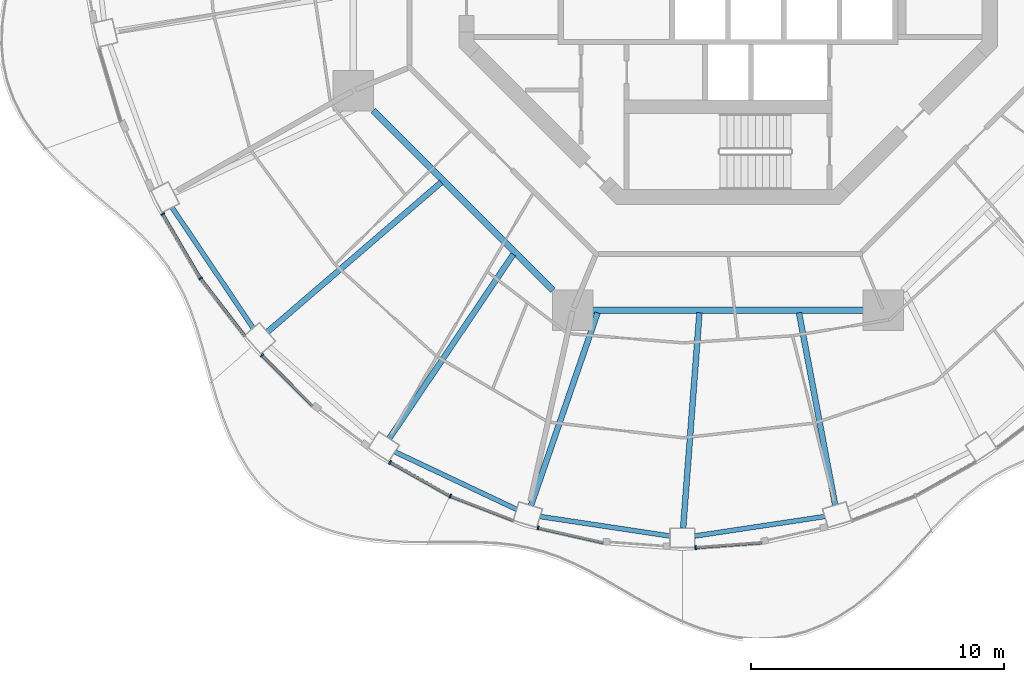
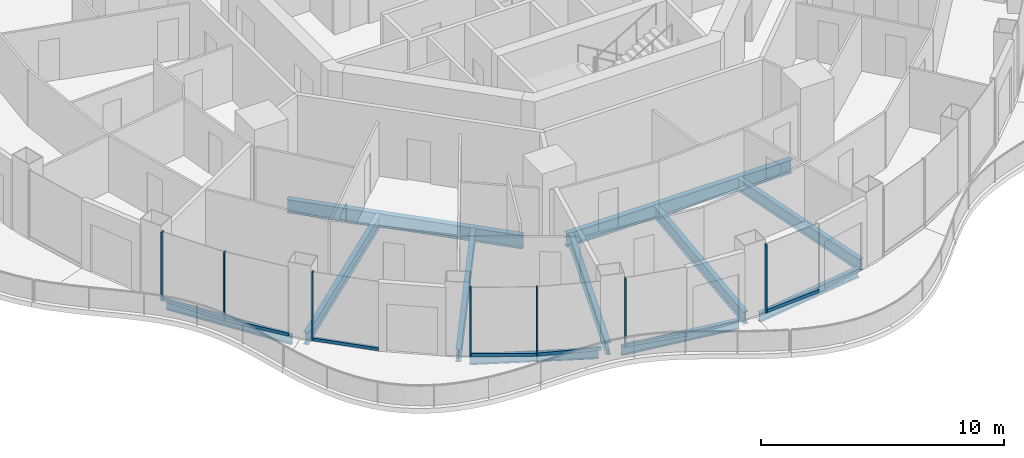
# One storey, part 2 of 18: 14 members, 11 beams, 7 elements without a shape of their own.
"""IFC4 building model written with IfcOpenShell, lengths in metres."""

import ifcopenshell
import ifcopenshell.guid

model = None  # the IFC model being written
_history = None  # IfcOwnerHistory: only IFC2X3 demands one
_inside = {}  # id of a spatial element -> (the spatial element, [elements in it])
_under = {}  # id of a project, library or spatial element -> (it, [spatial elements below it])
_declared = {}  # id of a project -> (the project, [libraries it declares])
_typed = {}  # id of a type object -> (the type object, [elements of that type])
_made_of = {}  # id of a material, layer set ... -> (it, [elements and type objects made of it])


def new_model(schema):
    """Start an empty IFC model of exactly this schema.

    Asked for "IFC4X3", IfcOpenShell would pick the latest addendum, in which some entities
    have other attributes; the version numbers below select the first issue.
    IFC2X3 requires an IfcOwnerHistory on every rooted entity: one is made here for all.
    """
    global model, _history
    if schema == "IFC4X3":
        model = ifcopenshell.file(schema_version=(4, 3, 0, 0))
    else:
        model = ifcopenshell.file(schema=schema)
    _inside.clear()
    _under.clear()
    _declared.clear()
    _typed.clear()
    _made_of.clear()
    _history = None
    if model.schema == "IFC2X3":
        org = make("IfcOrganization", Name="unknown")
        user = make(
            "IfcPersonAndOrganization",
            ThePerson=make("IfcPerson", FamilyName="unknown"),
            TheOrganization=org,
        )
        app = make(
            "IfcApplication",
            ApplicationDeveloper=org,
            Version="unknown",
            ApplicationFullName="unknown",
            ApplicationIdentifier="unknown",
        )
        _history = make(
            "IfcOwnerHistory",
            OwningUser=user,
            OwningApplication=app,
            ChangeAction="ADDED",
            CreationDate=0,
        )
    return model


def make(cls, **values):
    """One entity of the class cls with the attributes given. An attribute that is None is left unset."""
    return model.create_entity(
        cls, **{name: value for name, value in values.items() if value is not None}
    )


def rooted(cls, **values):
    """An entity with a GlobalId (a new one), such as an element, a storey or a relation."""
    return make(cls, GlobalId=ifcopenshell.guid.new(), OwnerHistory=_history, **values)


def si_unit(unit_type, name, prefix=None):
    """IfcSIUnit, for example si_unit("LENGTHUNIT", "METRE", prefix="MILLI")."""
    return make("IfcSIUnit", UnitType=unit_type, Prefix=prefix, Name=name)


def assignment(units):
    """IfcUnitAssignment: the units of a project."""
    return None if units is None else make("IfcUnitAssignment", Units=units)


def point(xyz):
    """IfcCartesianPoint."""
    return None if xyz is None else make("IfcCartesianPoint", Coordinates=xyz)


def direction(xyz):
    """IfcDirection."""
    return None if xyz is None else make("IfcDirection", DirectionRatios=xyz)


def frame(location, z_axis=None, x_axis=None):
    """IfcAxis2Placement3D, a coordinate frame: its origin and axes. An axis left out is left unset."""
    return make(
        "IfcAxis2Placement3D",
        Location=point(location),
        Axis=direction(z_axis),
        RefDirection=direction(x_axis),
    )


def frame_2d(location, x_axis=None):
    """IfcAxis2Placement2D, a coordinate frame in the plane: its origin and x axis."""
    return make(
        "IfcAxis2Placement2D", Location=point(location), RefDirection=direction(x_axis)
    )


def origin():
    """The frame at (0, 0, 0) with its axes left unset."""
    return frame((0.0, 0.0, 0.0))


def origin_2d():
    """The frame at (0, 0) in the plane with its x axis left unset."""
    return frame_2d((0.0, 0.0))


def place(relative_to, where):
    """IfcLocalPlacement: puts the frame where relative to a parent placement (None: the world)."""
    return make(
        "IfcLocalPlacement", PlacementRelTo=relative_to, RelativePlacement=where
    )


def context(
    kind, dimensions, precision=None, world=None, true_north=None, identifier=None
):
    """IfcGeometricRepresentationContext, for example the 3D "Model" context."""
    return make(
        "IfcGeometricRepresentationContext",
        ContextIdentifier=identifier,
        ContextType=kind,
        CoordinateSpaceDimension=dimensions,
        Precision=precision,
        WorldCoordinateSystem=world,
        TrueNorth=true_north,
    )


def subcontext(parent, identifier, kind, view, scale=None):
    """IfcGeometricRepresentationSubContext, for example "Body" below "Model"."""
    return make(
        "IfcGeometricRepresentationSubContext",
        ContextIdentifier=identifier,
        ContextType=kind,
        ParentContext=parent,
        TargetScale=scale,
        TargetView=view,
    )


def project(units=None, contexts=None):
    """IfcProject with its units and contexts."""
    return rooted(
        "IfcProject",
        Name="project",
        RepresentationContexts=contexts,
        UnitsInContext=assignment(units),
    )


def spatial(cls, under=None, at=None, **own):
    """A site, building, storey or space (cls), placed at a placement, below another one or the project."""
    s = rooted(cls, ObjectPlacement=at, **own)
    if under is not None:
        _under.setdefault(under.id(), (under, []))[1].append(s)
    return s


def profile(cls, at=None, kind="AREA", **sizes):
    """A parametric profile (cls). Its sizes go by their IFC names, for example OverallWidth=200.0."""
    return make(cls, ProfileType=kind, Position=at, **sizes)


def rectangle(**sizes):
    """IfcRectangleProfileDef."""
    return profile("IfcRectangleProfileDef", **sizes)


def i_section(**sizes):
    """IfcIShapeProfileDef."""
    return profile("IfcIShapeProfileDef", **sizes)


def extrude(swept, where, along, depth):
    """IfcExtrudedAreaSolid: the profile swept, set in the frame where, extruded along a direction by depth."""
    return make(
        "IfcExtrudedAreaSolid",
        SweptArea=swept,
        Position=where,
        ExtrudedDirection=direction(along),
        Depth=depth,
    )


def shape(context_of_items, identifier, shape_type, items):
    """IfcShapeRepresentation: the items that make up one representation, for example the "Body"."""
    return make(
        "IfcShapeRepresentation",
        ContextOfItems=context_of_items,
        RepresentationIdentifier=identifier,
        RepresentationType=shape_type,
        Items=items,
    )


def material(Name=None, Category=None):
    """IfcMaterial."""
    return make("IfcMaterial", Name=Name, Category=Category)


def layer(
    of_material, thickness, ventilated=None, Name=None, Category=None, Priority=None
):
    """IfcMaterialLayer: one layer of a wall or slab, of a material (None: an air gap)."""
    return make(
        "IfcMaterialLayer",
        Material=of_material,
        LayerThickness=thickness,
        IsVentilated=ventilated,
        Name=Name,
        Category=Category,
        Priority=Priority,
    )


def layer_set(layers, Name=None):
    """IfcMaterialLayerSet."""
    return make("IfcMaterialLayerSet", MaterialLayers=layers, LayerSetName=Name)


def material_profile(
    of_material, cross_section, Name=None, Category=None, Priority=None
):
    """IfcMaterialProfile: a cross section and its material."""
    return make(
        "IfcMaterialProfile",
        Name=Name,
        Material=of_material,
        Profile=cross_section,
        Priority=Priority,
        Category=Category,
    )


def profile_set(profiles, Name=None, composite=None):
    """IfcMaterialProfileSet."""
    return make(
        "IfcMaterialProfileSet",
        Name=Name,
        MaterialProfiles=profiles,
        CompositeProfile=composite,
    )


def made_of(thing, what):
    """Note that an element or type object is made of a material, layer set ...; save() writes the relation."""
    if what is not None:
        _made_of.setdefault(what.id(), (what, []))[1].append(thing)
    return thing


def type_object(cls, material=None, **own):
    """A type object (cls), such as IfcWallType, which elements share."""
    return made_of(rooted(cls, **own), material)


def element(
    cls,
    number,
    at=None,
    inside=None,
    cuts=None,
    type_object=None,
    material=None,
    context=None,
    identifier="Body",
    shape_type=None,
    held_by="IfcProductDefinitionShape",
    body=None,
    shapes=None,
    **own,
):
    """One element of the class cls, such as IfcWall. Its Tag is "e" and its number.

    at: its placement. inside: the storey or other place that contains it. cuts: it is an
    opening in that element (IfcRelVoidsElement). A single representation is given by context,
    identifier, shape_type and body (its items); several are given by shapes. held_by: the class
    of the entity that holds the representations. save() writes the other relations.
    """
    e = rooted(cls, Tag="e%d" % number, ObjectPlacement=at, **own)
    if body is not None:
        shapes = [shape(context, identifier, shape_type, body)]
    if shapes is not None:
        e.Representation = make(held_by, Representations=shapes)
    if inside is not None:
        _inside.setdefault(inside.id(), (inside, []))[1].append(e)
    if cuts is not None:
        rooted(
            "IfcRelVoidsElement", RelatingBuildingElement=cuts, RelatedOpeningElement=e
        )
    if type_object is not None:
        _typed.setdefault(type_object.id(), (type_object, []))[1].append(e)
    return made_of(e, material)


def aggregate(whole, parts):
    """IfcRelAggregates: a whole, such as a stair, and the parts it consists of."""
    return rooted("IfcRelAggregates", RelatingObject=whole, RelatedObjects=parts)


def save(model, path):
    """Write the relations noted so far, then the file.

    IfcRelAggregates (storeys below a building ...), IfcRelContainedInSpatialStructure (elements
    in a storey), IfcRelDefinesByType, IfcRelAssociatesMaterial and IfcRelDeclares: one each for
    every whole, place, type object, material and project.
    """
    for whole, parts in _under.values():
        aggregate(whole, parts)
    for where, things in _inside.values():
        rooted(
            "IfcRelContainedInSpatialStructure",
            RelatedElements=things,
            RelatingStructure=where,
        )
    for kind, things in _typed.values():
        rooted("IfcRelDefinesByType", RelatedObjects=things, RelatingType=kind)
    for what, things in _made_of.values():
        rooted("IfcRelAssociatesMaterial", RelatedObjects=things, RelatingMaterial=what)
    for by, libraries in _declared.values():
        rooted("IfcRelDeclares", RelatingContext=by, RelatedDefinitions=libraries)
    model.write(path)


model = new_model("IFC4")

# Units and contexts
model_context = context("Model", 3, precision=1e-05, world=origin(), true_north=direction((0.0, 1.0)))
body_context = subcontext(model_context, "Body", "Model", "MODEL_VIEW")
ifc_project = project(units=[si_unit("LENGTHUNIT", "METRE"), si_unit("AREAUNIT", "SQUARE_METRE"), si_unit("VOLUMEUNIT", "CUBIC_METRE"), si_unit("PLANEANGLEUNIT", "RADIAN"), si_unit("MASSUNIT", "GRAM", prefix="KILO")], contexts=[model_context])

# Site, building, storey
site_placement = place(None, origin())
site = spatial("IfcSite", under=ifc_project, at=site_placement, CompositionType="ELEMENT")
building_placement = place(site_placement, origin())
building = spatial("IfcBuilding", under=site, at=building_placement, Name="Nagisa Residences", CompositionType="ELEMENT")
storey_placement = place(building_placement, frame((0.0, 0.0, 241.800048828125)))
storey = spatial("IfcBuildingStorey", under=building, at=storey_placement, Name="L61", CompositionType="ELEMENT", Elevation=241.800048828125)

# Curtain wall, member
ifc_material_1 = material(Name="Concrete-coloured aluminium curtain wall system", Category="concrete")
ifc_layer = layer(ifc_material_1, 0.159912109375)
ifc_layer_set = layer_set([ifc_layer], Name="CW1 CURTAIN WALL")
curtain_wall_type = type_object("IfcCurtainWallType", Name="CW1 CURTAIN WALL", PredefinedType="NOTDEFINED", material=ifc_layer_set)
curtain_wall_1_placement = place(storey_placement, origin())
curtain_wall_1 = element("IfcCurtainWall", 1, at=curtain_wall_1_placement, inside=storey, type_object=curtain_wall_type, Name="cw:CW1:L61:28", PredefinedType="NOTDEFINED")
ifc_material_2 = material(Name="Concrete-coloured aluminium", Category="concrete")
ifc_material_profile_1 = material_profile(ifc_material_2, rectangle(XDim=0.159912109375, YDim=0.06005859375, at=origin_2d()), Name="CW1 MULLION 160x60")
ifc_profile_set_1 = profile_set([ifc_material_profile_1], Name="Concrete-coloured aluminium")
member_type_1 = type_object("IfcMemberType", Name="CW1 MULLION 160x60", PredefinedType="MULLION", material=ifc_profile_set_1)
member_1_placement = place(storey_placement, frame((-22.307861328125, -10.993896484375, 0.0), z_axis=(0.0, 0.0, 1.0), x_axis=(0.862328898214, 0.506348567002, 0.0)))
member_1 = element("IfcMember", 2, at=member_1_placement, type_object=member_type_1, Name="CW1 mullion", PredefinedType="MULLION", context=body_context, shape_type="SweptSolid", body=[
    extrude(rectangle(XDim=0.159912109375, YDim=0.06005859375, at=origin_2d()), origin(), (0.0, 0.0, 1.0), 3.43994140625),
])

curtain_wall_2_placement = place(storey_placement, origin())
curtain_wall_2 = element("IfcCurtainWall", 3, at=curtain_wall_2_placement, inside=storey, type_object=curtain_wall_type, Name="cw:CW1:L61:29", PredefinedType="NOTDEFINED")
member_2_placement = place(storey_placement, frame((-20.814453125, -13.53125, 0.0), z_axis=(0.0, 0.0, 1.0), x_axis=(0.792070340816, 0.610429828235, 0.0)))
member_2 = element("IfcMember", 4, at=member_2_placement, type_object=member_type_1, Name="CW1 mullion", PredefinedType="MULLION", context=body_context, shape_type="SweptSolid", body=[
    extrude(rectangle(XDim=0.159912109375, YDim=0.06005859375, at=origin_2d()), origin(), (0.0, 0.0, 1.0), 3.43994140625),
])

curtain_wall_3_placement = place(storey_placement, origin())
curtain_wall_3 = element("IfcCurtainWall", 5, at=curtain_wall_3_placement, inside=storey, type_object=curtain_wall_type, Name="cw:CW1:L61:30", PredefinedType="NOTDEFINED")
member_3_placement = place(storey_placement, frame((-18.388427734375, -16.567626953125, 0.0), z_axis=(0.0, 0.0, 1.0), x_axis=(0.706376885714, 0.707835924016, 0.0)))
member_3 = element("IfcMember", 6, at=member_3_placement, type_object=member_type_1, Name="CW1 mullion", PredefinedType="MULLION", context=body_context, shape_type="SweptSolid", body=[
    extrude(rectangle(XDim=0.159912109375, YDim=0.06005859375, at=origin_2d()), origin(), (0.0, 0.0, 1.0), 3.43994140625),
])

curtain_wall_4_placement = place(storey_placement, origin())
curtain_wall_4 = element("IfcCurtainWall", 7, at=curtain_wall_4_placement, inside=storey, type_object=curtain_wall_type, Name="cw:CW1:L61:32", PredefinedType="NOTDEFINED")
member_4_placement = place(storey_placement, frame((-13.333740234375, -20.792236328125, 0.0), z_axis=(0.0, 0.0, 1.0), x_axis=(0.489376918501, 0.872072377523, 0.0)))
member_4 = element("IfcMember", 8, at=member_4_placement, type_object=member_type_1, Name="CW1 mullion", PredefinedType="MULLION", context=body_context, shape_type="SweptSolid", body=[
    extrude(rectangle(XDim=0.159912109375, YDim=0.06005859375, at=origin_2d()), origin(), (0.0, 0.0, 1.0), 3.43994140625),
])

curtain_wall_5_placement = place(storey_placement, origin())
curtain_wall_5 = element("IfcCurtainWall", 9, at=curtain_wall_5_placement, inside=storey, type_object=curtain_wall_type, Name="cw:CW1:L61:33", PredefinedType="NOTDEFINED")
member_5_placement = place(storey_placement, frame((-10.954345703125, -22.12353515625, 0.0), z_axis=(0.0, 0.0, 1.0), x_axis=(0.360327770268, 0.932825759707, 0.0)))
member_5 = element("IfcMember", 10, at=member_5_placement, type_object=member_type_1, Name="CW1 mullion", PredefinedType="MULLION", context=body_context, shape_type="SweptSolid", body=[
    extrude(rectangle(XDim=0.159912109375, YDim=0.06005859375, at=origin_2d()), origin(), (0.0, 0.0, 1.0), 3.43994140625),
])

curtain_wall_6_placement = place(storey_placement, origin())
curtain_wall_6 = element("IfcCurtainWall", 11, at=curtain_wall_6_placement, inside=storey, type_object=curtain_wall_type, Name="cw:CW1:L61:34", PredefinedType="NOTDEFINED")
member_6_placement = place(storey_placement, frame((-7.4951171875, -23.3779296875, 0.0), z_axis=(0.0, 0.0, 1.0), x_axis=(0.2207639201, 0.975327274089, 0.0)))
member_6 = element("IfcMember", 12, at=member_6_placement, type_object=member_type_1, Name="CW1 mullion", PredefinedType="MULLION", context=body_context, shape_type="SweptSolid", body=[
    extrude(rectangle(XDim=0.159912109375, YDim=0.06005859375, at=origin_2d()), origin(), (0.0, 0.0, 1.0), 3.43994140625),
])

curtain_wall_7_placement = place(storey_placement, origin())
curtain_wall_7 = element("IfcCurtainWall", 13, at=curtain_wall_7_placement, inside=storey, type_object=curtain_wall_type, Name="cw:CW1:L61:36", PredefinedType="NOTDEFINED")
member_7_placement = place(storey_placement, frame((-1.27734375, -24.153076171875, 0.0), z_axis=(0.0, 0.0, 1.0), x_axis=(-0.074377355493, 0.997230168512, 0.0)))
member_7 = element("IfcMember", 14, at=member_7_placement, type_object=member_type_1, Name="CW1 mullion", PredefinedType="MULLION", context=body_context, shape_type="SweptSolid", body=[
    extrude(rectangle(XDim=0.159912109375, YDim=0.06005859375, at=origin_2d()), origin(), (0.0, 0.0, 1.0), 3.43994140625),
])

# Member
ifc_material_3 = material(Name="Concrete-coloured aluminium", Category="concrete")
ifc_material_profile_2 = material_profile(ifc_material_3, rectangle(XDim=0.1201171875, YDim=0.14990234375, at=origin_2d()), Name="CW1 TRANSOM 120x150")
ifc_profile_set_2 = profile_set([ifc_material_profile_2], Name="Concrete-coloured aluminium")
member_type_2 = type_object("IfcMemberType", Name="CW1 TRANSOM 120x150", PredefinedType="USERDEFINED", material=ifc_profile_set_2)
member_8_placement = place(storey_placement, frame((-22.322998046875, -10.968017578125, 0.074951171875), z_axis=(0.506294090973, -0.862360883532, 0.0), x_axis=(0.862360883532, 0.506294090973, 0.0)))
member_8 = element("IfcMember", 15, at=member_8_placement, type_object=member_type_2, Name="CW1 transom", ObjectType="TRANSOM", PredefinedType="USERDEFINED", context=body_context, shape_type="SweptSolid", body=[
    extrude(rectangle(XDim=0.1201171875, YDim=0.14990234375, at=origin_2d()), origin(), (0.0, 0.0, 1.0), 2.95458984375),
])

aggregate(curtain_wall_1, [member_1, member_8])

member_9_placement = place(storey_placement, frame((-20.832763671875, -13.507568359375, 0.074951171875), z_axis=(0.610438565676, -0.792063607001, 0.0), x_axis=(0.792063607001, 0.610438565676, 0.0)))
member_9 = element("IfcMember", 16, at=member_9_placement, type_object=member_type_2, Name="CW1 transom", ObjectType="TRANSOM", PredefinedType="USERDEFINED", context=body_context, shape_type="SweptSolid", body=[
    extrude(rectangle(XDim=0.1201171875, YDim=0.14990234375, at=origin_2d()), origin(), (0.0, 0.0, 1.0), 2.90087890625),
])

aggregate(curtain_wall_2, [member_2, member_9])

member_10_placement = place(storey_placement, frame((-18.40966796875, -16.546630859375, 0.074951171875), z_axis=(0.707836044127, -0.706376765356, 0.0), x_axis=(0.706376765356, 0.707836044127, 0.0)))
member_10 = element("IfcMember", 17, at=member_10_placement, type_object=member_type_2, Name="CW1 transom", ObjectType="TRANSOM", PredefinedType="USERDEFINED", context=body_context, shape_type="SweptSolid", body=[
    extrude(rectangle(XDim=0.1201171875, YDim=0.14990234375, at=origin_2d()), origin(), (0.0, 0.0, 1.0), 2.84423828125),
])

aggregate(curtain_wall_3, [member_3, member_10])

member_11_placement = place(storey_placement, frame((-13.35986328125, -20.777587890625, 0.074951171875), z_axis=(0.872063230277, -0.489393218586, 0.0), x_axis=(0.489393218586, 0.872063230277, 0.0)))
member_11 = element("IfcMember", 18, at=member_11_placement, type_object=member_type_2, Name="CW1 transom", ObjectType="TRANSOM", PredefinedType="USERDEFINED", context=body_context, shape_type="SweptSolid", body=[
    extrude(rectangle(XDim=0.1201171875, YDim=0.14990234375, at=origin_2d()), origin(), (0.0, 0.0, 1.0), 2.73828125),
])

aggregate(curtain_wall_4, [member_4, member_11])

member_12_placement = place(storey_placement, frame((-10.982421875, -22.11279296875, 0.074951171875), z_axis=(0.932838255163, -0.360295420044, 0.0), x_axis=(0.360295420044, 0.932838255163, 0.0)))
member_12 = element("IfcMember", 19, at=member_12_placement, type_object=member_type_2, Name="CW1 transom", ObjectType="TRANSOM", PredefinedType="USERDEFINED", context=body_context, shape_type="SweptSolid", body=[
    extrude(rectangle(XDim=0.1201171875, YDim=0.14990234375, at=origin_2d()), origin(), (0.0, 0.0, 1.0), 2.6962890625),
])

aggregate(curtain_wall_5, [member_5, member_12])

member_13_placement = place(storey_placement, frame((-7.5244140625, -23.371337890625, 0.074951171875), z_axis=(0.975324089124, -0.220777990694, 0.0), x_axis=(0.220777990694, 0.975324089124, 0.0)))
member_13 = element("IfcMember", 20, at=member_13_placement, type_object=member_type_2, Name="CW1 transom", ObjectType="TRANSOM", PredefinedType="USERDEFINED", context=body_context, shape_type="SweptSolid", body=[
    extrude(rectangle(XDim=0.1201171875, YDim=0.14990234375, at=origin_2d()), origin(), (0.0, 0.0, 1.0), 2.666015625),
])

aggregate(curtain_wall_6, [member_6, member_13])

member_14_placement = place(storey_placement, frame((-1.307373046875, -24.1552734375, 0.074951171875), z_axis=(0.997233213085, 0.074336523458, 0.0), x_axis=(-0.074336523458, 0.997233213085, 0.0)))
member_14 = element("IfcMember", 21, at=member_14_placement, type_object=member_type_2, Name="CW1 transom", ObjectType="TRANSOM", PredefinedType="USERDEFINED", context=body_context, shape_type="SweptSolid", body=[
    extrude(rectangle(XDim=0.1201171875, YDim=0.14990234375, at=origin_2d()), origin(), (0.0, 0.0, 1.0), 2.650390625),
])

aggregate(curtain_wall_7, [member_7, member_14])

# Beams
ifc_material_4 = material(Name="Steel ASTM A572 Gr 50", Category="steel")
ifc_material_profile_3 = material_profile(ifc_material_4, i_section(OverallWidth=0.2529296875, OverallDepth=0.677978515625, WebThickness=0.01171875, FlangeThickness=0.016357421875, at=origin_2d()), Name="W690x125")
ifc_profile_set_3 = profile_set([ifc_material_profile_3], Name="Steel ASTM A572 Gr 50")
beam_type_1 = type_object("IfcBeamType", Name="Inner ring beam W690x125", PredefinedType="BEAM", material=ifc_profile_set_3)
beam_1_placement = place(storey_placement, frame((-13.99609375, -6.90869140625, -0.59912109375), z_axis=(0.707106781187, -0.707106781187, 0.0), x_axis=(0.707106781187, 0.707106781187, 0.0)))
element("IfcBeam", 22, at=beam_1_placement, inside=storey, type_object=beam_type_1, Name="beam:L61:ib5", PredefinedType="BEAM", context=body_context, shape_type="SweptSolid", body=[
    extrude(i_section(OverallWidth=0.2529296875, OverallDepth=0.677978515625, WebThickness=0.01171875, FlangeThickness=0.016357421875, at=origin_2d()), origin(), (0.0, 0.0, 1.0), 10.023193359375),
])
beam_2_placement = place(storey_placement, frame((-5.343017578125, -14.781982421875, -0.59912109375), z_axis=(1.0, 0.0, 0.0), x_axis=(0.0, 1.0, 0.0)))
element("IfcBeam", 23, at=beam_2_placement, inside=storey, type_object=beam_type_1, Name="beam:L61:ib6", PredefinedType="BEAM", context=body_context, shape_type="SweptSolid", body=[
    extrude(i_section(OverallWidth=0.2529296875, OverallDepth=0.677978515625, WebThickness=0.01171875, FlangeThickness=0.016357421875, at=origin_2d()), origin(), (0.0, 0.0, 1.0), 10.68603515625),
])
ifc_material_5 = material(Name="Steel ASTM A572 Gr 50", Category="steel")
ifc_material_profile_4 = material_profile(ifc_material_5, i_section(OverallWidth=0.18994140625, OverallDepth=0.45703125, WebThickness=0.009033203125, FlangeThickness=0.014404296875, at=origin_2d()), Name="W460x74")
ifc_profile_set_4 = profile_set([ifc_material_profile_4], Name="Steel ASTM A572 Gr 50")
beam_type_2 = type_object("IfcBeamType", Name="Perimeter ring beam W460x74", PredefinedType="BEAM", material=ifc_profile_set_4)
beam_3_placement = place(storey_placement, frame((-21.942138671875, -10.728759765625, -0.488525390625), z_axis=(0.558079852096, -0.829787249049, 0.0), x_axis=(0.829787249049, 0.558079852096, 0.0)))
element("IfcBeam", 24, at=beam_3_placement, inside=storey, type_object=beam_type_2, Name="beam:L61:pb15", PredefinedType="BEAM", context=body_context, shape_type="SweptSolid", body=[
    extrude(i_section(OverallWidth=0.18994140625, OverallDepth=0.45703125, WebThickness=0.009033203125, FlangeThickness=0.014404296875, at=origin_2d()), origin(), (0.0, 0.0, 1.0), 5.743408203125),
])
beam_4_placement = place(storey_placement, frame((-13.146484375, -20.376953125, -0.488525390625), z_axis=(0.904133867308, -0.42724928319, 0.0), x_axis=(0.42724928319, 0.904133867308, 0.0)))
element("IfcBeam", 25, at=beam_4_placement, inside=storey, type_object=beam_type_2, Name="beam:L61:pb17", PredefinedType="BEAM", context=body_context, shape_type="SweptSolid", body=[
    extrude(i_section(OverallWidth=0.18994140625, OverallDepth=0.45703125, WebThickness=0.009033203125, FlangeThickness=0.014404296875, at=origin_2d()), origin(), (0.0, 0.0, 1.0), 5.317138671875),
])
for number, where, z_axis, x_axis, name in (
    (26, (-7.42041015625, -22.92822265625, -0.488525390625), (0.988909463745, -0.148519603133, 0.0), (0.148519603133, 0.988909463745, 0.0), "beam:L61:pb18"),
    (27, (-1.31982421875, -23.7001953125, -0.488525390625), (0.988909463745, 0.148519603133, 0.0), (-0.148519603133, 0.988909463745, 0.0), "beam:L61:pb19"),
):
    element("IfcBeam", number, at=place(storey_placement, frame(where, z_axis=z_axis, x_axis=x_axis)), inside=storey, type_object=beam_type_2, Name=name, PredefinedType="BEAM", context=body_context, shape_type="SweptSolid", body=[
        extrude(i_section(OverallWidth=0.18994140625, OverallDepth=0.45703125, WebThickness=0.009033203125, FlangeThickness=0.014404296875, at=origin_2d()), origin(), (0.0, 0.0, 1.0), 5.19775390625),
    ])
ifc_material_6 = material(Name="Steel ASTM A572 Gr 50", Category="steel")
ifc_material_profile_5 = material_profile(ifc_material_6, i_section(OverallWidth=0.22802734375, OverallDepth=0.60302734375, WebThickness=0.010498046875, FlangeThickness=0.014892578125, at=origin_2d()), Name="W610x101")
ifc_profile_set_5 = profile_set([ifc_material_profile_5], Name="Steel ASTM A572 Gr 50")
beam_type_3 = type_object("IfcBeamType", Name="Radial beam W610x101", PredefinedType="BEAM", material=ifc_profile_set_5)
beam_5_placement = place(storey_placement, frame((-18.178466796875, -15.6484375, -0.5615234375), z_axis=(0.7578828397, 0.652390681485, 0.0), x_axis=(-0.652390681485, 0.7578828397, 0.0)))
element("IfcBeam", 28, at=beam_5_placement, inside=storey, type_object=beam_type_3, Name="beam:L61:rb16", PredefinedType="BEAM", context=body_context, shape_type="SweptSolid", body=[
    extrude(i_section(OverallWidth=0.22802734375, OverallDepth=0.60302734375, WebThickness=0.010498046875, FlangeThickness=0.014892578125, at=origin_2d()), origin(), (0.0, 0.0, 1.0), 9.055908203125),
])
beam_6_placement = place(storey_placement, frame((-13.372802734375, -19.8544921875, -0.5615234375), z_axis=(0.558639079644, 0.829410862416, 0.0), x_axis=(-0.829410862416, 0.558639079644, 0.0)))
element("IfcBeam", 29, at=beam_6_placement, inside=storey, type_object=beam_type_3, Name="beam:L61:rb17", PredefinedType="BEAM", context=body_context, shape_type="SweptSolid", body=[
    extrude(i_section(OverallWidth=0.22802734375, OverallDepth=0.60302734375, WebThickness=0.010498046875, FlangeThickness=0.014892578125, at=origin_2d()), origin(), (0.0, 0.0, 1.0), 8.7685546875),
])
beam_7_placement = place(storey_placement, frame((-7.776123046875, -22.49658203125, -0.5615234375), z_axis=(0.32669171318, 0.945130956291, 0.0), x_axis=(-0.945130956291, 0.32669171318, 0.0)))
element("IfcBeam", 30, at=beam_7_placement, inside=storey, type_object=beam_type_3, Name="beam:L61:rb18", PredefinedType="BEAM", context=body_context, shape_type="SweptSolid", body=[
    extrude(i_section(OverallWidth=0.22802734375, OverallDepth=0.60302734375, WebThickness=0.010498046875, FlangeThickness=0.014892578125, at=origin_2d()), origin(), (0.0, 0.0, 1.0), 8.048583984375),
])
beam_8_placement = place(storey_placement, frame((-1.771240234375, -23.392333984375, -0.5615234375), z_axis=(0.075492377513, 0.997146378892, 0.0), x_axis=(-0.997146378892, 0.075492377513, 0.0)))
element("IfcBeam", 31, at=beam_8_placement, inside=storey, type_object=beam_type_3, Name="beam:L61:rb19", PredefinedType="BEAM", context=body_context, shape_type="SweptSolid", body=[
    extrude(i_section(OverallWidth=0.22802734375, OverallDepth=0.60302734375, WebThickness=0.010498046875, FlangeThickness=0.014892578125, at=origin_2d()), origin(), (0.0, 0.0, 1.0), 8.528076171875),
])
beam_9_placement = place(storey_placement, frame((4.229736328125, -22.480224609375, -0.5615234375), z_axis=(-0.184925861179, 0.982752474363, 0.0), x_axis=(-0.982752474363, -0.184925861179, 0.0)))
element("IfcBeam", 32, at=beam_9_placement, inside=storey, type_object=beam_type_3, Name="beam:L61:rb20", PredefinedType="BEAM", context=body_context, shape_type="SweptSolid", body=[
    extrude(i_section(OverallWidth=0.22802734375, OverallDepth=0.60302734375, WebThickness=0.010498046875, FlangeThickness=0.014892578125, at=origin_2d()), origin(), (0.0, 0.0, 1.0), 7.724609375),
])

save(model, "model.ifc")
